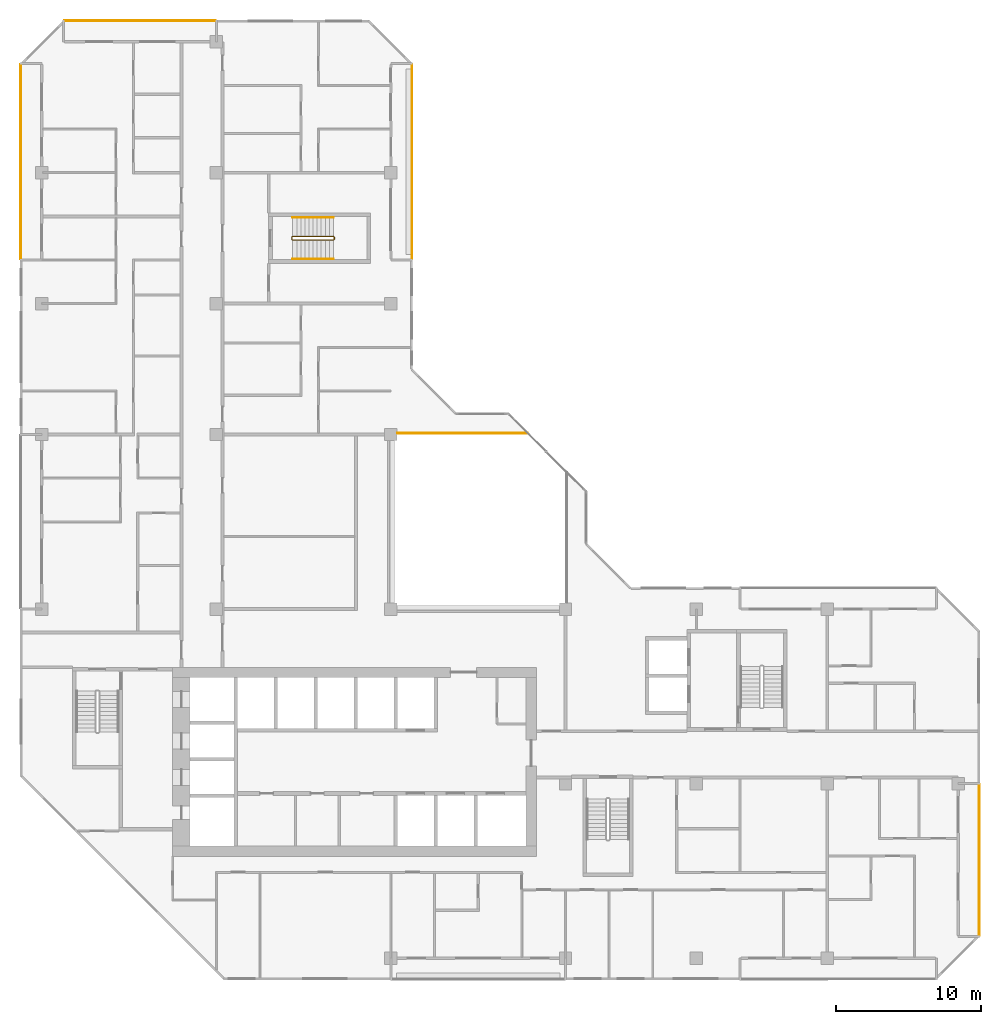
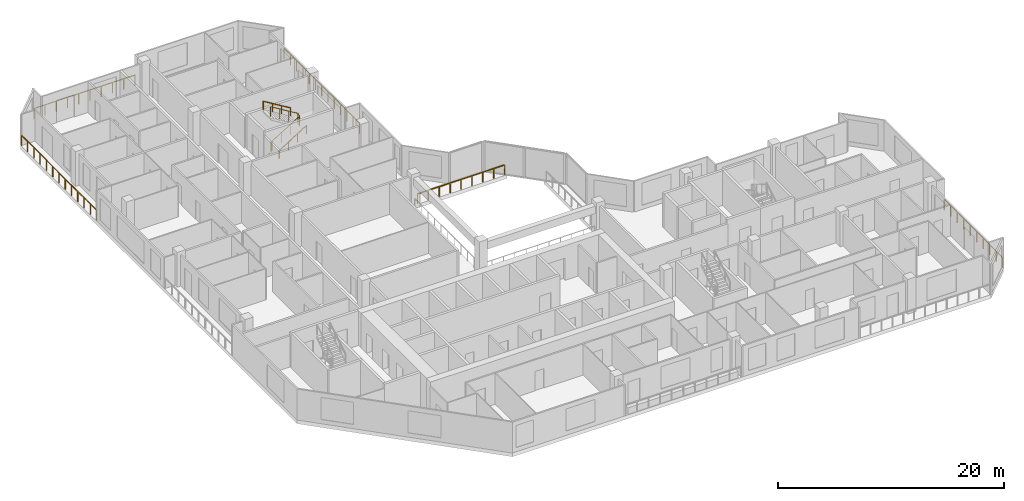
# One storey, part 14 of 14: 8 railings.
"""IFC4 building model written with IfcOpenShell, lengths in metres."""

import ifcopenshell
import ifcopenshell.guid

model = None  # the IFC model being written
_history = None  # IfcOwnerHistory: only IFC2X3 demands one
_inside = {}  # id of a spatial element -> (the spatial element, [elements in it])
_under = {}  # id of a project, library or spatial element -> (it, [spatial elements below it])
_declared = {}  # id of a project -> (the project, [libraries it declares])
_typed = {}  # id of a type object -> (the type object, [elements of that type])
_made_of = {}  # id of a material, layer set ... -> (it, [elements and type objects made of it])


def new_model(schema):
    """Start an empty IFC model of exactly this schema.

    Asked for "IFC4X3", IfcOpenShell would pick the latest addendum, in which some entities
    have other attributes; the version numbers below select the first issue.
    IFC2X3 requires an IfcOwnerHistory on every rooted entity: one is made here for all.
    """
    global model, _history
    if schema == "IFC4X3":
        model = ifcopenshell.file(schema_version=(4, 3, 0, 0))
    else:
        model = ifcopenshell.file(schema=schema)
    _inside.clear()
    _under.clear()
    _declared.clear()
    _typed.clear()
    _made_of.clear()
    _history = None
    if model.schema == "IFC2X3":
        org = make("IfcOrganization", Name="unknown")
        user = make(
            "IfcPersonAndOrganization",
            ThePerson=make("IfcPerson", FamilyName="unknown"),
            TheOrganization=org,
        )
        app = make(
            "IfcApplication",
            ApplicationDeveloper=org,
            Version="unknown",
            ApplicationFullName="unknown",
            ApplicationIdentifier="unknown",
        )
        _history = make(
            "IfcOwnerHistory",
            OwningUser=user,
            OwningApplication=app,
            ChangeAction="ADDED",
            CreationDate=0,
        )
    return model


def make(cls, **values):
    """One entity of the class cls with the attributes given. An attribute that is None is left unset."""
    return model.create_entity(
        cls, **{name: value for name, value in values.items() if value is not None}
    )


def rooted(cls, **values):
    """An entity with a GlobalId (a new one), such as an element, a storey or a relation."""
    return make(cls, GlobalId=ifcopenshell.guid.new(), OwnerHistory=_history, **values)


def si_unit(unit_type, name, prefix=None):
    """IfcSIUnit, for example si_unit("LENGTHUNIT", "METRE", prefix="MILLI")."""
    return make("IfcSIUnit", UnitType=unit_type, Prefix=prefix, Name=name)


def assignment(units):
    """IfcUnitAssignment: the units of a project."""
    return None if units is None else make("IfcUnitAssignment", Units=units)


def point(xyz):
    """IfcCartesianPoint."""
    return None if xyz is None else make("IfcCartesianPoint", Coordinates=xyz)


def direction(xyz):
    """IfcDirection."""
    return None if xyz is None else make("IfcDirection", DirectionRatios=xyz)


def frame(location, z_axis=None, x_axis=None):
    """IfcAxis2Placement3D, a coordinate frame: its origin and axes. An axis left out is left unset."""
    return make(
        "IfcAxis2Placement3D",
        Location=point(location),
        Axis=direction(z_axis),
        RefDirection=direction(x_axis),
    )


def frame_2d(location, x_axis=None):
    """IfcAxis2Placement2D, a coordinate frame in the plane: its origin and x axis."""
    return make(
        "IfcAxis2Placement2D", Location=point(location), RefDirection=direction(x_axis)
    )


def origin():
    """The frame at (0, 0, 0) with its axes left unset."""
    return frame((0.0, 0.0, 0.0))


def origin_2d():
    """The frame at (0, 0) in the plane with its x axis left unset."""
    return frame_2d((0.0, 0.0))


def place(relative_to, where):
    """IfcLocalPlacement: puts the frame where relative to a parent placement (None: the world)."""
    return make(
        "IfcLocalPlacement", PlacementRelTo=relative_to, RelativePlacement=where
    )


def context(
    kind, dimensions, precision=None, world=None, true_north=None, identifier=None
):
    """IfcGeometricRepresentationContext, for example the 3D "Model" context."""
    return make(
        "IfcGeometricRepresentationContext",
        ContextIdentifier=identifier,
        ContextType=kind,
        CoordinateSpaceDimension=dimensions,
        Precision=precision,
        WorldCoordinateSystem=world,
        TrueNorth=true_north,
    )


def subcontext(parent, identifier, kind, view, scale=None):
    """IfcGeometricRepresentationSubContext, for example "Body" below "Model"."""
    return make(
        "IfcGeometricRepresentationSubContext",
        ContextIdentifier=identifier,
        ContextType=kind,
        ParentContext=parent,
        TargetScale=scale,
        TargetView=view,
    )


def project(units=None, contexts=None):
    """IfcProject with its units and contexts."""
    return rooted(
        "IfcProject",
        Name="project",
        RepresentationContexts=contexts,
        UnitsInContext=assignment(units),
    )


def spatial(cls, under=None, at=None, **own):
    """A site, building, storey or space (cls), placed at a placement, below another one or the project."""
    s = rooted(cls, ObjectPlacement=at, **own)
    if under is not None:
        _under.setdefault(under.id(), (under, []))[1].append(s)
    return s


def profile(cls, at=None, kind="AREA", **sizes):
    """A parametric profile (cls). Its sizes go by their IFC names, for example OverallWidth=200.0."""
    return make(cls, ProfileType=kind, Position=at, **sizes)


def rectangle(**sizes):
    """IfcRectangleProfileDef."""
    return profile("IfcRectangleProfileDef", **sizes)


def extrude(swept, where, along, depth):
    """IfcExtrudedAreaSolid: the profile swept, set in the frame where, extruded along a direction by depth."""
    return make(
        "IfcExtrudedAreaSolid",
        SweptArea=swept,
        Position=where,
        ExtrudedDirection=direction(along),
        Depth=depth,
    )


def shape(context_of_items, identifier, shape_type, items):
    """IfcShapeRepresentation: the items that make up one representation, for example the "Body"."""
    return make(
        "IfcShapeRepresentation",
        ContextOfItems=context_of_items,
        RepresentationIdentifier=identifier,
        RepresentationType=shape_type,
        Items=items,
    )


def material(Name=None, Category=None):
    """IfcMaterial."""
    return make("IfcMaterial", Name=Name, Category=Category)


def made_of(thing, what):
    """Note that an element or type object is made of a material, layer set ...; save() writes the relation."""
    if what is not None:
        _made_of.setdefault(what.id(), (what, []))[1].append(thing)
    return thing


def type_object(cls, material=None, **own):
    """A type object (cls), such as IfcWallType, which elements share."""
    return made_of(rooted(cls, **own), material)


def element(
    cls,
    number,
    at=None,
    inside=None,
    cuts=None,
    type_object=None,
    material=None,
    context=None,
    identifier="Body",
    shape_type=None,
    held_by="IfcProductDefinitionShape",
    body=None,
    shapes=None,
    **own,
):
    """One element of the class cls, such as IfcWall. Its Tag is "e" and its number.

    at: its placement. inside: the storey or other place that contains it. cuts: it is an
    opening in that element (IfcRelVoidsElement). A single representation is given by context,
    identifier, shape_type and body (its items); several are given by shapes. held_by: the class
    of the entity that holds the representations. save() writes the other relations.
    """
    e = rooted(cls, Tag="e%d" % number, ObjectPlacement=at, **own)
    if body is not None:
        shapes = [shape(context, identifier, shape_type, body)]
    if shapes is not None:
        e.Representation = make(held_by, Representations=shapes)
    if inside is not None:
        _inside.setdefault(inside.id(), (inside, []))[1].append(e)
    if cuts is not None:
        rooted(
            "IfcRelVoidsElement", RelatingBuildingElement=cuts, RelatedOpeningElement=e
        )
    if type_object is not None:
        _typed.setdefault(type_object.id(), (type_object, []))[1].append(e)
    return made_of(e, material)


def aggregate(whole, parts):
    """IfcRelAggregates: a whole, such as a stair, and the parts it consists of."""
    return rooted("IfcRelAggregates", RelatingObject=whole, RelatedObjects=parts)


def save(model, path):
    """Write the relations noted so far, then the file.

    IfcRelAggregates (storeys below a building ...), IfcRelContainedInSpatialStructure (elements
    in a storey), IfcRelDefinesByType, IfcRelAssociatesMaterial and IfcRelDeclares: one each for
    every whole, place, type object, material and project.
    """
    for whole, parts in _under.values():
        aggregate(whole, parts)
    for where, things in _inside.values():
        rooted(
            "IfcRelContainedInSpatialStructure",
            RelatedElements=things,
            RelatingStructure=where,
        )
    for kind, things in _typed.values():
        rooted("IfcRelDefinesByType", RelatedObjects=things, RelatingType=kind)
    for what, things in _made_of.values():
        rooted("IfcRelAssociatesMaterial", RelatedObjects=things, RelatingMaterial=what)
    for by, libraries in _declared.values():
        rooted("IfcRelDeclares", RelatingContext=by, RelatedDefinitions=libraries)
    model.write(path)


model = new_model("IFC4")

# Units and contexts
model_context = context("Model", 3, precision=1e-05, world=origin(), true_north=direction((0.0, 1.0)))
body_context = subcontext(model_context, "Body", "Model", "MODEL_VIEW")
ifc_project = project(units=[si_unit("LENGTHUNIT", "METRE"), si_unit("AREAUNIT", "SQUARE_METRE"), si_unit("VOLUMEUNIT", "CUBIC_METRE"), si_unit("PLANEANGLEUNIT", "RADIAN"), si_unit("MASSUNIT", "GRAM", prefix="KILO")], contexts=[model_context])

# Site, building, storey
site_placement = place(None, origin())
site = spatial("IfcSite", under=ifc_project, at=site_placement, CompositionType="ELEMENT")
building_placement = place(site_placement, origin())
building = spatial("IfcBuilding", under=site, at=building_placement, Name="Chenar Terraces", CompositionType="ELEMENT")
storey_placement = place(building_placement, frame((0.0, 0.0, 237.89990234375)))
storey = spatial("IfcBuildingStorey", under=building, at=storey_placement, Name="L56", CompositionType="ELEMENT", Elevation=237.89990234375)

# Railings
ifc_material_1 = material(Name="Powder-coated steel", Category="steel")
railing_type_1 = type_object("IfcRailingType", Name="Guard 1100 steel rail with glass infill", PredefinedType="GUARDRAIL", material=ifc_material_1)
railing_1_placement = place(storey_placement, frame((24.47509765625, 36.10009765625, 0.0)))
element("IfcRailing", 1, at=railing_1_placement, inside=storey, type_object=railing_type_1, Name="Guard L56-2", PredefinedType="GUARDRAIL", context=body_context, shape_type="SweptSolid", body=[
    extrude(rectangle(XDim=0.06005859375, YDim=0.06005859375, at=origin_2d()), frame((0.0, 0.0, 1.070068359375), z_axis=(1.0, 0.0, 0.0), x_axis=(0.0, 1.0, 0.0)), (0.0, 0.0, 1.0), 8.9248046875),
    extrude(rectangle(XDim=0.050048828125, YDim=0.050048828125, at=origin_2d()), origin(), (0.0, 0.0, 1.0), 1.0400390625),
    extrude(rectangle(XDim=0.050048828125, YDim=0.050048828125, at=origin_2d()), frame((1.11572265625, 0.0, 0.0)), (0.0, 0.0, 1.0), 1.0400390625),
    extrude(rectangle(XDim=0.050048828125, YDim=0.050048828125, at=origin_2d()), frame((2.231201171875, 0.0, 0.0)), (0.0, 0.0, 1.0), 1.0400390625),
    extrude(rectangle(XDim=0.050048828125, YDim=0.050048828125, at=origin_2d()), frame((3.3466796875, 0.0, 0.0)), (0.0, 0.0, 1.0), 1.0400390625),
    extrude(rectangle(XDim=0.050048828125, YDim=0.050048828125, at=origin_2d()), frame((4.46240234375, 0.0, 0.0)), (0.0, 0.0, 1.0), 1.0400390625),
    extrude(rectangle(XDim=0.050048828125, YDim=0.050048828125, at=origin_2d()), frame((5.578125, 0.0, 0.0)), (0.0, 0.0, 1.0), 1.0400390625),
    extrude(rectangle(XDim=0.050048828125, YDim=0.050048828125, at=origin_2d()), frame((6.693603515625, 0.0, 0.0)), (0.0, 0.0, 1.0), 1.0400390625),
    extrude(rectangle(XDim=0.050048828125, YDim=0.050048828125, at=origin_2d()), frame((7.80908203125, 0.0, 0.0)), (0.0, 0.0, 1.0), 1.0400390625),
    extrude(rectangle(XDim=0.050048828125, YDim=0.050048828125, at=origin_2d()), frame((8.9248046875, 0.0, 0.0)), (0.0, 0.0, 1.0), 1.0400390625),
])
ifc_material_2 = material(Name="Stainless steel and glass", Category="steel")
railing_type_2 = type_object("IfcRailingType", Name="Loggia guard 1150", PredefinedType="GUARDRAIL", material=ifc_material_2)
railing_2_placement = place(storey_placement, frame((25.449951171875, 48.074951171875, 0.0)))
element("IfcRailing", 2, at=railing_2_placement, inside=storey, type_object=railing_type_2, Name="Loggia guard", PredefinedType="GUARDRAIL", context=body_context, shape_type="SweptSolid", body=[
    extrude(rectangle(XDim=0.048095703125, YDim=0.048095703125, at=origin_2d()), frame((0.0, 0.0, 1.1259765625), z_axis=(0.0, 1.0, 0.0), x_axis=(-1.0, 0.0, 0.0)), (0.0, 0.0, 1.0), 13.35009765625),
    extrude(rectangle(XDim=0.0419921875, YDim=0.0419921875, at=origin_2d()), origin(), (0.0, 0.0, 1.0), 1.101806640625),
    extrude(rectangle(XDim=0.0419921875, YDim=0.0419921875, at=origin_2d()), frame((0.0, 1.112548828125, 0.0)), (0.0, 0.0, 1.0), 1.101806640625),
    extrude(rectangle(XDim=0.0419921875, YDim=0.0419921875, at=origin_2d()), frame((0.0, 2.22509765625, 0.0)), (0.0, 0.0, 1.0), 1.101806640625),
    extrude(rectangle(XDim=0.0419921875, YDim=0.0419921875, at=origin_2d()), frame((0.0, 3.33740234375, 0.0)), (0.0, 0.0, 1.0), 1.101806640625),
    extrude(rectangle(XDim=0.0419921875, YDim=0.0419921875, at=origin_2d()), frame((0.0, 4.449951171875, 0.0)), (0.0, 0.0, 1.0), 1.101806640625),
    extrude(rectangle(XDim=0.0419921875, YDim=0.0419921875, at=origin_2d()), frame((0.0, 5.5625, 0.0)), (0.0, 0.0, 1.0), 1.101806640625),
    extrude(rectangle(XDim=0.0419921875, YDim=0.0419921875, at=origin_2d()), frame((0.0, 6.675048828125, 0.0)), (0.0, 0.0, 1.0), 1.101806640625),
    extrude(rectangle(XDim=0.0419921875, YDim=0.0419921875, at=origin_2d()), frame((0.0, 7.78759765625, 0.0)), (0.0, 0.0, 1.0), 1.101806640625),
    extrude(rectangle(XDim=0.0419921875, YDim=0.0419921875, at=origin_2d()), frame((0.0, 8.900146484375, 0.0)), (0.0, 0.0, 1.0), 1.101806640625),
    extrude(rectangle(XDim=0.0419921875, YDim=0.0419921875, at=origin_2d()), frame((0.0, 10.0126953125, 0.0)), (0.0, 0.0, 1.0), 1.101806640625),
    extrude(rectangle(XDim=0.0419921875, YDim=0.0419921875, at=origin_2d()), frame((0.0, 11.125, 0.0)), (0.0, 0.0, 1.0), 1.101806640625),
    extrude(rectangle(XDim=0.0419921875, YDim=0.0419921875, at=origin_2d()), frame((0.0, 12.237548828125, 0.0)), (0.0, 0.0, 1.0), 1.101806640625),
    extrude(rectangle(XDim=0.0419921875, YDim=0.0419921875, at=origin_2d()), frame((0.0, 13.35009765625, 0.0)), (0.0, 0.0, 1.0), 1.101806640625),
])
railing_3_placement = place(storey_placement, frame((64.449951171875, 1.574951171875, 0.0)))
element("IfcRailing", 3, at=railing_3_placement, inside=storey, type_object=railing_type_2, Name="Loggia guard", PredefinedType="GUARDRAIL", context=body_context, shape_type="SweptSolid", body=[
    extrude(rectangle(XDim=0.048095703125, YDim=0.048095703125, at=origin_2d()), frame((0.0, 0.0, 1.1259765625), z_axis=(0.0, 1.0, 0.0), x_axis=(-1.0, 0.0, 0.0)), (0.0, 0.0, 1.0), 10.35009765625),
    extrude(rectangle(XDim=0.0419921875, YDim=0.0419921875, at=origin_2d()), origin(), (0.0, 0.0, 1.0), 1.101806640625),
    extrude(rectangle(XDim=0.0419921875, YDim=0.0419921875, at=origin_2d()), frame((0.0, 1.14990234375, 0.0)), (0.0, 0.0, 1.0), 1.101806640625),
    extrude(rectangle(XDim=0.0419921875, YDim=0.0419921875, at=origin_2d()), frame((0.0, 2.300048828125, 0.0)), (0.0, 0.0, 1.0), 1.101806640625),
    extrude(rectangle(XDim=0.0419921875, YDim=0.0419921875, at=origin_2d()), frame((0.0, 3.449951171875, 0.0)), (0.0, 0.0, 1.0), 1.101806640625),
    extrude(rectangle(XDim=0.0419921875, YDim=0.0419921875, at=origin_2d()), frame((0.0, 4.60009765625, 0.0)), (0.0, 0.0, 1.0), 1.101806640625),
    extrude(rectangle(XDim=0.0419921875, YDim=0.0419921875, at=origin_2d()), frame((0.0, 5.75, 0.0)), (0.0, 0.0, 1.0), 1.101806640625),
    extrude(rectangle(XDim=0.0419921875, YDim=0.0419921875, at=origin_2d()), frame((0.0, 6.900146484375, 0.0)), (0.0, 0.0, 1.0), 1.101806640625),
    extrude(rectangle(XDim=0.0419921875, YDim=0.0419921875, at=origin_2d()), frame((0.0, 8.050048828125, 0.0)), (0.0, 0.0, 1.0), 1.101806640625),
    extrude(rectangle(XDim=0.0419921875, YDim=0.0419921875, at=origin_2d()), frame((0.0, 9.2001953125, 0.0)), (0.0, 0.0, 1.0), 1.101806640625),
    extrude(rectangle(XDim=0.0419921875, YDim=0.0419921875, at=origin_2d()), frame((0.0, 10.35009765625, 0.0)), (0.0, 0.0, 1.0), 1.101806640625),
])
railing_4_placement = place(storey_placement, frame((11.925048828125, 64.449951171875, 0.0)))
element("IfcRailing", 4, at=railing_4_placement, inside=storey, type_object=railing_type_2, Name="Loggia guard", PredefinedType="GUARDRAIL", context=body_context, shape_type="SweptSolid", body=[
    extrude(rectangle(XDim=0.048095703125, YDim=0.048095703125, at=origin_2d()), frame((0.0, 0.0, 1.1259765625), z_axis=(-1.0, 0.0, 0.0), x_axis=(0.0, -1.0, 0.0)), (0.0, 0.0, 1.0), 10.35009765625),
    extrude(rectangle(XDim=0.0419921875, YDim=0.0419921875, at=origin_2d()), origin(), (0.0, 0.0, 1.0), 1.101806640625),
    extrude(rectangle(XDim=0.0419921875, YDim=0.0419921875, at=origin_2d()), frame((-1.14990234375, 0.0, 0.0)), (0.0, 0.0, 1.0), 1.101806640625),
    extrude(rectangle(XDim=0.0419921875, YDim=0.0419921875, at=origin_2d()), frame((-2.300048828125, 0.0, 0.0)), (0.0, 0.0, 1.0), 1.101806640625),
    extrude(rectangle(XDim=0.0419921875, YDim=0.0419921875, at=origin_2d()), frame((-3.449951171875, 0.0, 0.0)), (0.0, 0.0, 1.0), 1.101806640625),
    extrude(rectangle(XDim=0.0419921875, YDim=0.0419921875, at=origin_2d()), frame((-4.60009765625, 0.0, 0.0)), (0.0, 0.0, 1.0), 1.101806640625),
    extrude(rectangle(XDim=0.0419921875, YDim=0.0419921875, at=origin_2d()), frame((-5.75, 0.0, 0.0)), (0.0, 0.0, 1.0), 1.101806640625),
    extrude(rectangle(XDim=0.0419921875, YDim=0.0419921875, at=origin_2d()), frame((-6.900146484375, 0.0, 0.0)), (0.0, 0.0, 1.0), 1.101806640625),
    extrude(rectangle(XDim=0.0419921875, YDim=0.0419921875, at=origin_2d()), frame((-8.050048828125, 0.0, 0.0)), (0.0, 0.0, 1.0), 1.101806640625),
    extrude(rectangle(XDim=0.0419921875, YDim=0.0419921875, at=origin_2d()), frame((-9.2001953125, 0.0, 0.0)), (0.0, 0.0, 1.0), 1.101806640625),
    extrude(rectangle(XDim=0.0419921875, YDim=0.0419921875, at=origin_2d()), frame((-10.35009765625, 0.0, 0.0)), (0.0, 0.0, 1.0), 1.101806640625),
])
railing_5_placement = place(storey_placement, frame((-1.449951171875, 61.425048828125, 0.0)))
element("IfcRailing", 5, at=railing_5_placement, inside=storey, type_object=railing_type_2, Name="Loggia guard", PredefinedType="GUARDRAIL", context=body_context, shape_type="SweptSolid", body=[
    extrude(rectangle(XDim=0.048095703125, YDim=0.048095703125, at=origin_2d()), frame((0.0, 0.0, 1.1259765625), z_axis=(0.0, -1.0, 0.0), x_axis=(1.0, 0.0, 0.0)), (0.0, 0.0, 1.0), 13.35009765625),
    extrude(rectangle(XDim=0.0419921875, YDim=0.0419921875, at=origin_2d()), origin(), (0.0, 0.0, 1.0), 1.101806640625),
    extrude(rectangle(XDim=0.0419921875, YDim=0.0419921875, at=origin_2d()), frame((0.0, -1.112548828125, 0.0)), (0.0, 0.0, 1.0), 1.101806640625),
    extrude(rectangle(XDim=0.0419921875, YDim=0.0419921875, at=origin_2d()), frame((0.0, -2.22509765625, 0.0)), (0.0, 0.0, 1.0), 1.101806640625),
    extrude(rectangle(XDim=0.0419921875, YDim=0.0419921875, at=origin_2d()), frame((0.0, -3.33740234375, 0.0)), (0.0, 0.0, 1.0), 1.101806640625),
    extrude(rectangle(XDim=0.0419921875, YDim=0.0419921875, at=origin_2d()), frame((0.0, -4.449951171875, 0.0)), (0.0, 0.0, 1.0), 1.101806640625),
    extrude(rectangle(XDim=0.0419921875, YDim=0.0419921875, at=origin_2d()), frame((0.0, -5.5625, 0.0)), (0.0, 0.0, 1.0), 1.101806640625),
    extrude(rectangle(XDim=0.0419921875, YDim=0.0419921875, at=origin_2d()), frame((0.0, -6.675048828125, 0.0)), (0.0, 0.0, 1.0), 1.101806640625),
    extrude(rectangle(XDim=0.0419921875, YDim=0.0419921875, at=origin_2d()), frame((0.0, -7.78759765625, 0.0)), (0.0, 0.0, 1.0), 1.101806640625),
    extrude(rectangle(XDim=0.0419921875, YDim=0.0419921875, at=origin_2d()), frame((0.0, -8.900146484375, 0.0)), (0.0, 0.0, 1.0), 1.101806640625),
    extrude(rectangle(XDim=0.0419921875, YDim=0.0419921875, at=origin_2d()), frame((0.0, -10.0126953125, 0.0)), (0.0, 0.0, 1.0), 1.101806640625),
    extrude(rectangle(XDim=0.0419921875, YDim=0.0419921875, at=origin_2d()), frame((0.0, -11.125, 0.0)), (0.0, 0.0, 1.0), 1.101806640625),
    extrude(rectangle(XDim=0.0419921875, YDim=0.0419921875, at=origin_2d()), frame((0.0, -12.237548828125, 0.0)), (0.0, 0.0, 1.0), 1.101806640625),
    extrude(rectangle(XDim=0.0419921875, YDim=0.0419921875, at=origin_2d()), frame((0.0, -13.35009765625, 0.0)), (0.0, 0.0, 1.0), 1.101806640625),
])
ifc_material_3 = material(Name="Powder-coated steel", Category="steel")
railing_type_3 = type_object("IfcRailingType", Name="Stair guard 1100", PredefinedType="GUARDRAIL", material=ifc_material_3)
railing_6_placement = place(storey_placement, frame((17.25, 49.625, 3.75)))
element("IfcRailing", 6, at=railing_6_placement, inside=storey, type_object=railing_type_3, Name="L56 ST4 stair guard 1", PredefinedType="GUARDRAIL", context=body_context, shape_type="SweptSolid", body=[
    extrude(rectangle(XDim=0.048095703125, YDim=0.048095703125, at=origin_2d()), frame((0.0, 0.0, 1.076171875), z_axis=(0.854202870247, 0.0, -0.519939858505), x_axis=(0.0, 1.0, 0.0)), (0.0, 0.0, 1.0), 3.278076171875),
    extrude(rectangle(XDim=0.048095703125, YDim=0.048095703125, at=origin_2d()), frame((2.800048828125, 0.0, -0.62841796875), z_axis=(0.270899902878, -0.270899902878, -0.923702595667), x_axis=(0.707106781187, 0.707106781187, 0.0)), (0.0, 0.0, 1.0), 0.184814453125),
    extrude(rectangle(XDim=0.048095703125, YDim=0.048095703125, at=origin_2d()), frame((2.85009765625, -0.050048828125, -0.798828125), z_axis=(0.0, -1.0, 0.0), x_axis=(1.0, 0.0, 0.0)), (0.0, 0.0, 1.0), 0.14990234375),
    extrude(rectangle(XDim=0.048095703125, YDim=0.048095703125, at=origin_2d()), frame((2.85009765625, -0.199951171875, -0.798828125), z_axis=(-0.707106781187, -0.707106781187, 0.0), x_axis=(0.707106781187, -0.707106781187, 0.0)), (0.0, 0.0, 1.0), 0.07080078125),
    extrude(rectangle(XDim=0.048095703125, YDim=0.048095703125, at=origin_2d()), frame((2.800048828125, -0.25, -0.798828125), z_axis=(-0.854202870247, 0.0, -0.519939858505), x_axis=(0.0, -1.0, 0.0)), (0.0, 0.0, 1.0), 3.278076171875),
    extrude(rectangle(XDim=0.048095703125, YDim=0.048095703125, at=origin_2d()), frame((0.0, -0.25, -2.50341796875), z_axis=(-0.270899902878, 0.270899902878, -0.923702595667), x_axis=(-0.707106781187, -0.707106781187, 0.0)), (0.0, 0.0, 1.0), 0.184814453125),
    extrude(rectangle(XDim=0.048095703125, YDim=0.048095703125, at=origin_2d()), frame((-0.050048828125, -0.199951171875, -2.673828125), z_axis=(0.0, 1.0, 0.0), x_axis=(-1.0, 0.0, 0.0)), (0.0, 0.0, 1.0), 0.14990234375),
    extrude(rectangle(XDim=0.0419921875, YDim=0.0419921875, at=origin_2d()), origin(), (0.0, 0.0, 1.0), 1.052001953125),
    extrude(rectangle(XDim=0.0419921875, YDim=0.0419921875, at=origin_2d()), frame((0.933349609375, 0.0, -0.568115234375)), (0.0, 0.0, 1.0), 1.052001953125),
    extrude(rectangle(XDim=0.0419921875, YDim=0.0419921875, at=origin_2d()), frame((1.86669921875, 0.0, -1.13623046875)), (0.0, 0.0, 1.0), 1.052001953125),
    extrude(rectangle(XDim=0.0419921875, YDim=0.0419921875, at=origin_2d()), frame((2.800048828125, 0.0, -1.704345703125)), (0.0, 0.0, 1.0), 1.052001953125),
    extrude(rectangle(XDim=0.0419921875, YDim=0.0419921875, at=origin_2d()), frame((2.85009765625, -0.050048828125, -1.875)), (0.0, 0.0, 1.0), 1.052001953125),
    extrude(rectangle(XDim=0.0419921875, YDim=0.0419921875, at=origin_2d()), frame((2.85009765625, -0.199951171875, -1.875)), (0.0, 0.0, 1.0), 1.052001953125),
    extrude(rectangle(XDim=0.0419921875, YDim=0.0419921875, at=origin_2d()), frame((2.800048828125, -0.25, -1.875)), (0.0, 0.0, 1.0), 1.052001953125),
    extrude(rectangle(XDim=0.0419921875, YDim=0.0419921875, at=origin_2d()), frame((1.86669921875, -0.25, -2.443115234375)), (0.0, 0.0, 1.0), 1.052001953125),
    extrude(rectangle(XDim=0.0419921875, YDim=0.0419921875, at=origin_2d()), frame((0.933349609375, -0.25, -3.01123046875)), (0.0, 0.0, 1.0), 1.052001953125),
    extrude(rectangle(XDim=0.0419921875, YDim=0.0419921875, at=origin_2d()), frame((0.0, -0.25, -3.579345703125)), (0.0, 0.0, 1.0), 1.052001953125),
    extrude(rectangle(XDim=0.0419921875, YDim=0.0419921875, at=origin_2d()), frame((-0.050048828125, -0.199951171875, -3.75)), (0.0, 0.0, 1.0), 1.052001953125),
    extrude(rectangle(XDim=0.0419921875, YDim=0.0419921875, at=origin_2d()), frame((-0.050048828125, -0.050048828125, -3.75)), (0.0, 0.0, 1.0), 1.052001953125),
])
ifc_material_4 = material(Name="Powder-coated steel", Category="steel")
railing_type_4 = type_object("IfcRailingType", Name="Stair handrail 900", PredefinedType="HANDRAIL", material=ifc_material_4)
railing_7_placement = place(storey_placement, frame((17.25, 48.074951171875, 0.170654296875)))
element("IfcRailing", 7, at=railing_7_placement, inside=storey, type_object=railing_type_4, Name="L56 ST4 stair handrail 1", PredefinedType="HANDRAIL", context=body_context, shape_type="SweptSolid", body=[
    extrude(rectangle(XDim=0.048095703125, YDim=0.048095703125, at=origin_2d()), frame((0.0, 0.0, 0.8759765625), z_axis=(0.854202870247, 0.0, 0.519939858505), x_axis=(0.0, 1.0, 0.0)), (0.0, 0.0, 1.0), 3.278076171875),
    extrude(rectangle(XDim=0.0419921875, YDim=0.0419921875, at=origin_2d()), origin(), (0.0, 0.0, 1.0), 0.851806640625),
    extrude(rectangle(XDim=0.0419921875, YDim=0.0419921875, at=origin_2d()), frame((0.933349609375, 0.0, 0.568115234375)), (0.0, 0.0, 1.0), 0.851806640625),
    extrude(rectangle(XDim=0.0419921875, YDim=0.0419921875, at=origin_2d()), frame((1.86669921875, 0.0, 1.13623046875)), (0.0, 0.0, 1.0), 0.851806640625),
    extrude(rectangle(XDim=0.0419921875, YDim=0.0419921875, at=origin_2d()), frame((2.800048828125, 0.0, 1.704345703125)), (0.0, 0.0, 1.0), 0.851806640625),
])
railing_8_placement = place(storey_placement, frame((20.050048828125, 50.925048828125, 2.045654296875)))
element("IfcRailing", 8, at=railing_8_placement, inside=storey, type_object=railing_type_4, Name="L56 ST4 stair handrail 2", PredefinedType="HANDRAIL", context=body_context, shape_type="SweptSolid", body=[
    extrude(rectangle(XDim=0.048095703125, YDim=0.048095703125, at=origin_2d()), frame((0.0, 0.0, 0.8759765625), z_axis=(-0.854202870247, 0.0, 0.519939858505), x_axis=(0.0, -1.0, 0.0)), (0.0, 0.0, 1.0), 3.278076171875),
    extrude(rectangle(XDim=0.0419921875, YDim=0.0419921875, at=origin_2d()), origin(), (0.0, 0.0, 1.0), 0.851806640625),
    extrude(rectangle(XDim=0.0419921875, YDim=0.0419921875, at=origin_2d()), frame((-0.933349609375, 0.0, 0.568115234375)), (0.0, 0.0, 1.0), 0.851806640625),
    extrude(rectangle(XDim=0.0419921875, YDim=0.0419921875, at=origin_2d()), frame((-1.86669921875, 0.0, 1.13623046875)), (0.0, 0.0, 1.0), 0.851806640625),
    extrude(rectangle(XDim=0.0419921875, YDim=0.0419921875, at=origin_2d()), frame((-2.800048828125, 0.0, 1.704345703125)), (0.0, 0.0, 1.0), 0.851806640625),
])

save(model, "model.ifc")
